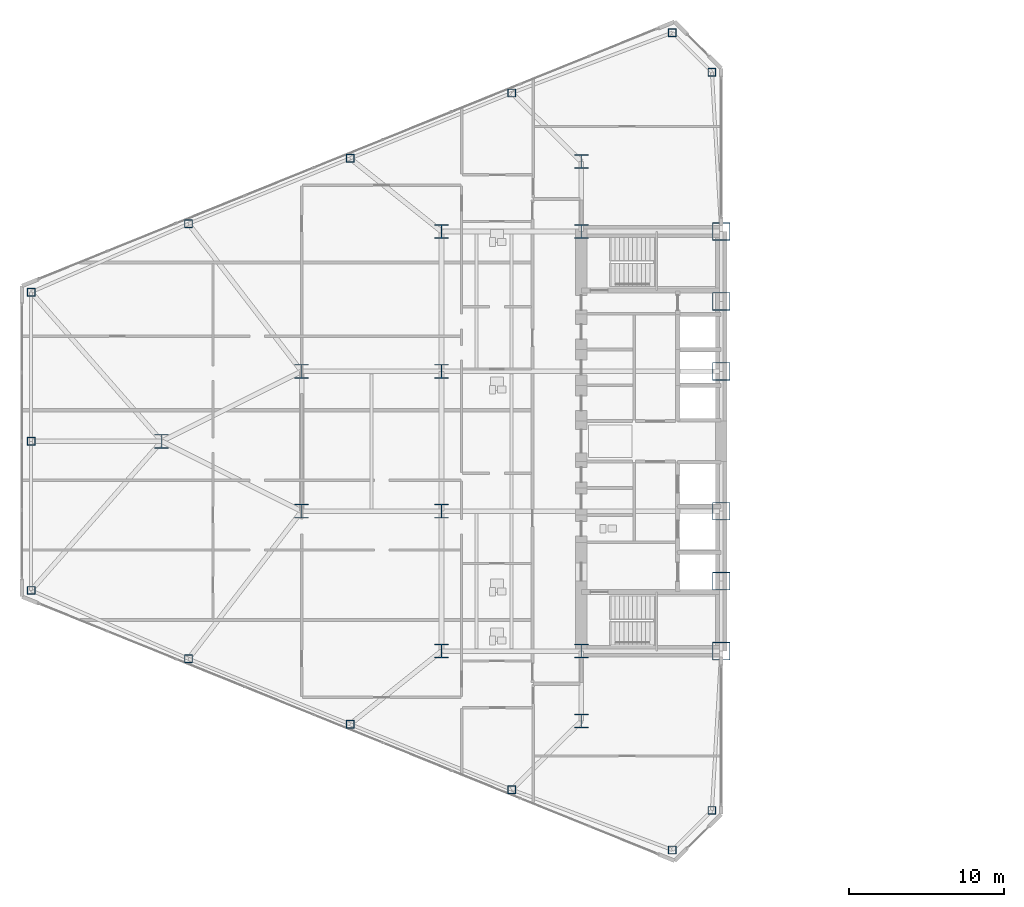
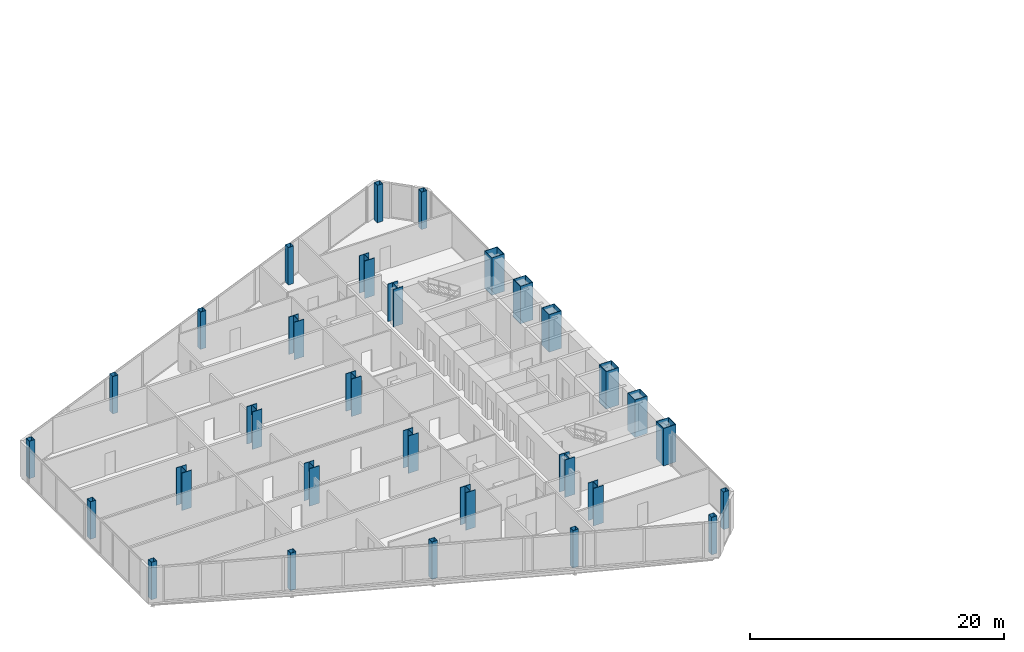
# One storey, part 1 of 25: 30 columns.
"""IFC4 building model written with IfcOpenShell, lengths in metres."""

from ifc_helpers import new_model, si_unit, direction, frame, origin, origin_2d, place, context, subcontext, project, spatial, hollow_rectangle, i_section, extrude, source, transform, mapped, material, material_profile, profile_set, type_object, type_shapes, element, save


model = new_model("IFC4")

# Units and contexts
model_context = context("Model", 3, precision=1e-05, world=origin(), true_north=direction((0.0, 1.0)))
body_context = subcontext(model_context, "Body", "Model", "MODEL_VIEW")
ifc_project = project(units=[si_unit("LENGTHUNIT", "METRE"), si_unit("AREAUNIT", "SQUARE_METRE"), si_unit("VOLUMEUNIT", "CUBIC_METRE"), si_unit("PLANEANGLEUNIT", "RADIAN"), si_unit("MASSUNIT", "GRAM", prefix="KILO")], contexts=[model_context])

# Site, building, storey
site_placement = place(None, origin())
site = spatial("IfcSite", under=ifc_project, at=site_placement, CompositionType="ELEMENT")
building_placement = place(site_placement, origin())
building = spatial("IfcBuilding", under=site, at=building_placement, Name="Seokmaru Belvedere", CompositionType="ELEMENT")
storey_placement = place(building_placement, frame((0.0, 0.0, 33.300048828125)))
storey = spatial("IfcBuildingStorey", under=building, at=storey_placement, Name="L08", CompositionType="ELEMENT", Elevation=33.300048828125)

# Columns
ifc_material_1 = material(Name="Steel HSA650 (650 MPa)", Category="steel")
ifc_material_profile_1 = material_profile(ifc_material_1, hollow_rectangle(XDim=1.14990234375, YDim=1.14990234375, WallThickness=0.048095703125, at=origin_2d()), Name="BOX-1150x1150x48")
ifc_profile_set_1 = profile_set([ifc_material_profile_1], Name="Steel HSA650 (650 MPa)")
column_type_1 = type_object("IfcColumnType", Name="Portal Spine Column BOX-1150", PredefinedType="COLUMN", material=ifc_profile_set_1)
shared_shape_1 = source(origin(), body_context, "Body", "SweptSolid", [
    extrude(hollow_rectangle(XDim=1.14990234375, YDim=1.14990234375, WallThickness=0.048095703125, at=origin_2d()), origin(), (0.0, 0.0, 1.0), 3.599853515625),
])
type_shapes(column_type_1, [shared_shape_1])
for number, where, z_axis, x_axis, name in (
    (1, (-27.5, -13.5, 0.0), (0.0, 0.0, 1.0), (1.0, 0.0, 0.0), "L08 Column WS1"),
    (2, (-27.5, -9.0, 0.0), (0.0, 0.0, 1.0), (1.0, 0.0, 0.0), "L08 Column WS2"),
    (3, (-27.5, -4.5, 0.0), (0.0, 0.0, 1.0), (1.0, 0.0, 0.0), "L08 Column WS3"),
    (4, (-27.5, 4.5, 0.0), (0.0, 0.0, 1.0), (1.0, 0.0, 0.0), "L08 Column WS4"),
    (5, (-27.5, 9.0, 0.0), (0.0, 0.0, 1.0), (1.0, 0.0, 0.0), "L08 Column WS5"),
    (6, (-27.5, 13.5, 0.0), (0.0, 0.0, 1.0), (1.0, 0.0, 0.0), "L08 Column WS6"),
):
    element("IfcColumn", number, at=place(storey_placement, frame(where, z_axis=z_axis, x_axis=x_axis)), inside=storey, type_object=column_type_1, Name=name, PredefinedType="COLUMN", context=body_context, shape_type="MappedRepresentation", body=[
        mapped(shared_shape_1, transform((0.0, 0.0, 0.0), scale=1.0)),
    ])
ifc_material_profile_2 = material_profile(ifc_material_1, i_section(OverallWidth=0.89990234375, OverallDepth=0.89990234375, WebThickness=0.035888671875, FlangeThickness=0.054931640625, at=origin_2d()), Name="H-900x900x36x55")
ifc_profile_set_2 = profile_set([ifc_material_profile_2], Name="Steel HSA650 (650 MPa)")
column_type_2 = type_object("IfcColumnType", Name="Lower Interior Column H-900", PredefinedType="COLUMN", material=ifc_profile_set_2)
shared_shape_2 = source(origin(), body_context, "Body", "SweptSolid", [
    extrude(i_section(OverallWidth=0.89990234375, OverallDepth=0.89990234375, WebThickness=0.035888671875, FlangeThickness=0.054931640625, at=origin_2d()), origin(), (0.0, 0.0, 1.0), 3.599853515625),
])
type_shapes(column_type_2, [shared_shape_2])
for number, where, z_axis, x_axis, name in (
    (7, (-36.5, -18.0, 0.0), (0.0, 0.0, 1.0), (1.0, 0.0, 0.0), "L08 Column WC1"),
    (8, (-36.5, -13.5, 0.0), (0.0, 0.0, 1.0), (1.0, 0.0, 0.0), "L08 Column WC2"),
    (9, (-36.5, 13.5, 0.0), (0.0, 0.0, 1.0), (1.0, 0.0, 0.0), "L08 Column WC3"),
    (10, (-36.5, 18.0, 0.0), (0.0, 0.0, 1.0), (1.0, 0.0, 0.0), "L08 Column WC4"),
    (11, (-45.5, -13.5, 0.0), (0.0, 0.0, 1.0), (1.0, 0.0, 0.0), "L08 Column WG5_1"),
    (12, (-45.5, -4.5, 0.0), (0.0, 0.0, 1.0), (1.0, 0.0, 0.0), "L08 Column WG5_2"),
    (13, (-45.5, 4.5, 0.0), (0.0, 0.0, 1.0), (1.0, 0.0, 0.0), "L08 Column WG5_3"),
    (14, (-45.5, 13.5, 0.0), (0.0, 0.0, 1.0), (1.0, 0.0, 0.0), "L08 Column WG5_4"),
    (15, (-54.5, -4.5, 0.0), (0.0, 0.0, 1.0), (1.0, 0.0, 0.0), "L08 Column WG4P_1"),
    (16, (-54.5, 4.5, 0.0), (0.0, 0.0, 1.0), (1.0, 0.0, 0.0), "L08 Column WG4P_2"),
    (17, (-63.5, 0.0, 0.0), (0.0, 0.0, 1.0), (1.0, 0.0, 0.0), "L08 Column WG3P_1"),
):
    element("IfcColumn", number, at=place(storey_placement, frame(where, z_axis=z_axis, x_axis=x_axis)), inside=storey, type_object=column_type_2, Name=name, PredefinedType="COLUMN", context=body_context, shape_type="MappedRepresentation", body=[
        mapped(shared_shape_2, transform((0.0, 0.0, 0.0), scale=1.0)),
    ])
ifc_material_2 = material(Name="Steel SM355 (355 MPa)", Category="steel")
ifc_material_profile_3 = material_profile(ifc_material_2, hollow_rectangle(XDim=0.5, YDim=0.5, WallThickness=0.02001953125, at=origin_2d()), Name="HSS-500x500x20")
ifc_profile_set_3 = profile_set([ifc_material_profile_3], Name="Steel SM355 (355 MPa)")
column_type_3 = type_object("IfcColumnType", Name="Perimeter Facet Column HSS-500", PredefinedType="COLUMN", material=ifc_profile_set_3)
shared_shape_3 = source(origin(), body_context, "Body", "SweptSolid", [
    extrude(hollow_rectangle(XDim=0.5, YDim=0.5, WallThickness=0.02001953125, at=origin_2d()), origin(), (0.0, 0.0, 1.0), 3.599853515625),
])
type_shapes(column_type_3, [shared_shape_3])
for number, where, z_axis, x_axis, name in (
    (18, (-28.10009765625, -23.75146484375, 0.0), (0.0, 0.0, 1.0), (1.0, 0.0, 0.0), "L08 Column WF1"),
    (19, (-28.10009765625, 23.75146484375, 0.0), (0.0, 0.0, 1.0), (1.0, 0.0, 0.0), "L08 Column WF2"),
    (20, (-30.643310546875, 26.294677734375, 0.0), (0.0, 0.0, 1.0), (1.0, 0.0, 0.0), "L08 Column WF3"),
    (21, (-71.89990234375, 9.595703125, 0.0), (0.0, 0.0, 1.0), (1.0, 0.0, 0.0), "L08 Column WF4"),
    (22, (-71.89990234375, -9.595703125, 0.0), (0.0, 0.0, 1.0), (1.0, 0.0, 0.0), "L08 Column WF5"),
    (23, (-30.643310546875, -26.294677734375, 0.0), (0.0, 0.0, 1.0), (1.0, 0.0, 0.0), "L08 Column WF6"),
    (24, (-40.977294921875, -22.4140625, 0.0), (0.0, 0.0, 1.0), (1.0, 0.0, 0.0), "L08 Column WFLK_S1"),
    (25, (-51.378173828125, -18.2041015625, 0.0), (0.0, 0.0, 1.0), (1.0, 0.0, 0.0), "L08 Column WFLK_S2"),
    (26, (-61.779052734375, -13.994140625, 0.0), (0.0, 0.0, 1.0), (1.0, 0.0, 0.0), "L08 Column WFLK_S3"),
    (27, (-40.977294921875, 22.4140625, 0.0), (0.0, 0.0, 1.0), (1.0, 0.0, 0.0), "L08 Column WFLK_N1"),
    (28, (-51.378173828125, 18.2041015625, 0.0), (0.0, 0.0, 1.0), (1.0, 0.0, 0.0), "L08 Column WFLK_N2"),
    (29, (-61.779052734375, 13.994140625, 0.0), (0.0, 0.0, 1.0), (1.0, 0.0, 0.0), "L08 Column WFLK_N3"),
    (30, (-71.89990234375, 0.0, 0.0), (0.0, 0.0, 1.0), (1.0, 0.0, 0.0), "L08 Column WF_APXM"),
):
    element("IfcColumn", number, at=place(storey_placement, frame(where, z_axis=z_axis, x_axis=x_axis)), inside=storey, type_object=column_type_3, Name=name, PredefinedType="COLUMN", context=body_context, shape_type="MappedRepresentation", body=[
        mapped(shared_shape_3, transform((0.0, 0.0, 0.0), scale=1.0)),
    ])

save(model, "model.ifc")
